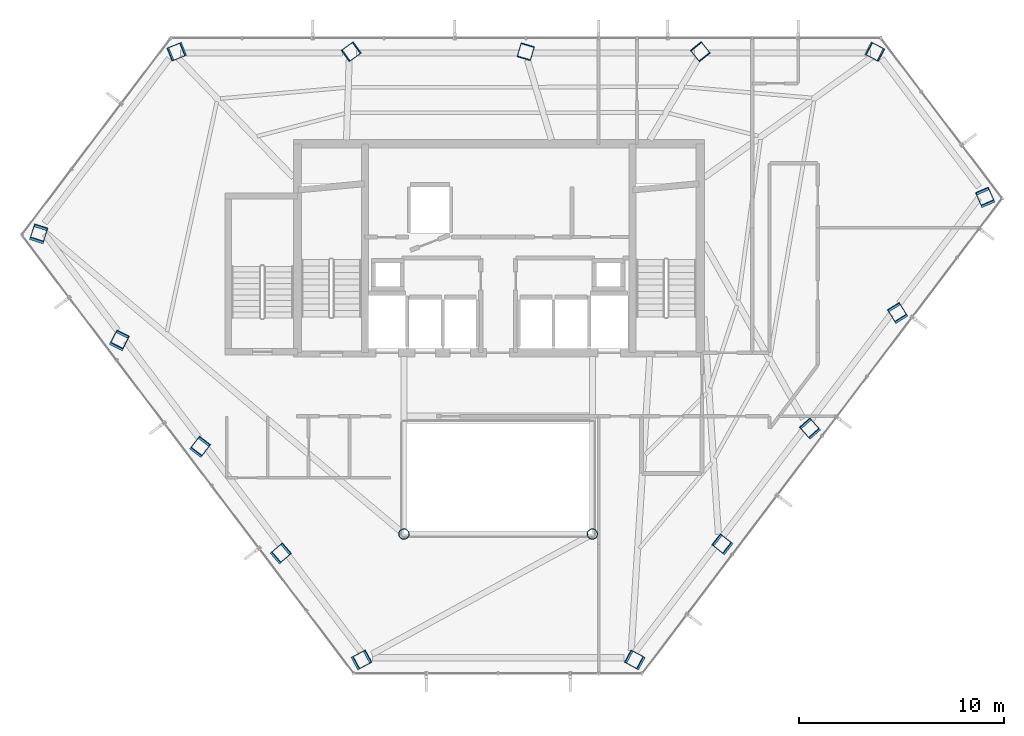
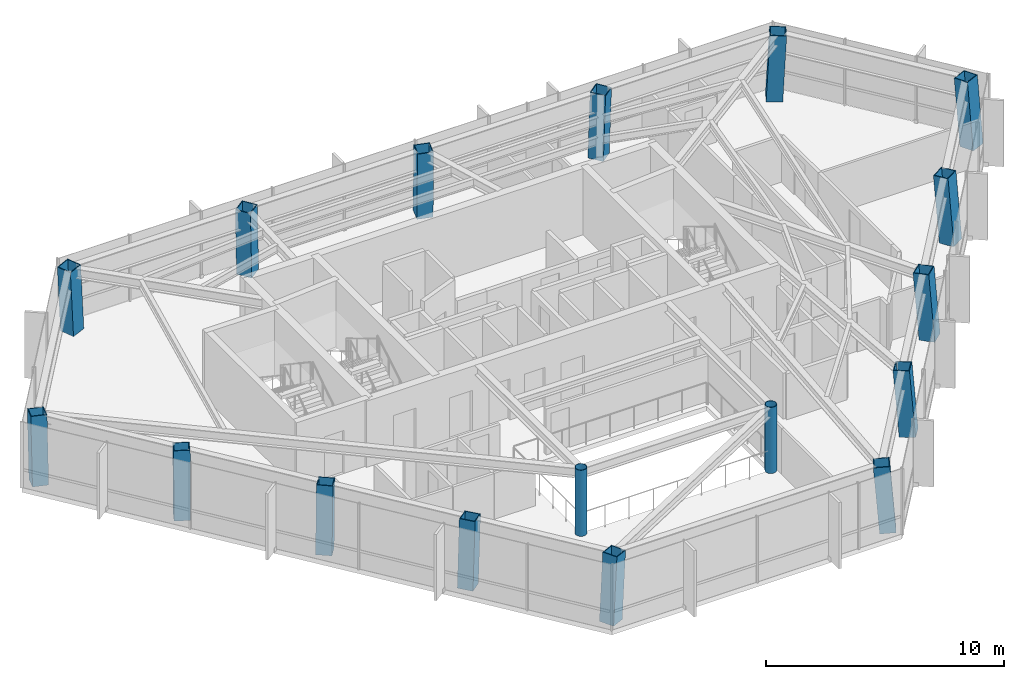
# One storey, part 1 of 28: 17 columns.
"""IFC4 building model written with IfcOpenShell, lengths in metres."""

from ifc_helpers import new_model, si_unit, direction, frame, origin, origin_2d, place, context, subcontext, project, spatial, hollow_rectangle, hollow_circle, extrude, material, material_profile, profile_set, type_object, element, save


model = new_model("IFC4")

# Units and contexts
model_context = context("Model", 3, precision=1e-05, world=origin(), true_north=direction((0.0, 1.0)))
body_context = subcontext(model_context, "Body", "Model", "MODEL_VIEW")
ifc_project = project(units=[si_unit("LENGTHUNIT", "METRE"), si_unit("AREAUNIT", "SQUARE_METRE"), si_unit("VOLUMEUNIT", "CUBIC_METRE"), si_unit("PLANEANGLEUNIT", "RADIAN"), si_unit("MASSUNIT", "GRAM", prefix="KILO")], contexts=[model_context])

# Site, building, storey
site_placement = place(None, origin())
site = spatial("IfcSite", under=ifc_project, at=site_placement, CompositionType="ELEMENT")
building_placement = place(site_placement, origin())
building = spatial("IfcBuilding", under=site, at=building_placement, Name="Zarrinselat Tower", CompositionType="ELEMENT")
storey_placement = place(building_placement, frame((0.0, 0.0, 190.739990234375)))
storey = spatial("IfcBuildingStorey", under=building, at=storey_placement, Name="L47", CompositionType="ELEMENT", Elevation=190.739990234375)

# Columns
ifc_material_1 = material(Name="Steel S355J2", Category="steel")
ifc_material_profile_1 = material_profile(ifc_material_1, hollow_circle(Radius=0.25390625, WallThickness=0.02001953125, at=origin_2d()), Name="CHS 508x20")
ifc_profile_set_1 = profile_set([ifc_material_profile_1], Name="Steel S355J2")
column_type_1 = type_object("IfcColumnType", Name="COL-CHS508", PredefinedType="COLUMN", material=ifc_profile_set_1)
for number, where, z_axis, x_axis, name in (
    (1, (33.800048828125, 24.39990234375, 0.0), (0.0, 0.0, 1.0), (1.0, 0.0, 0.0), "L47 Atrium Corner Column 1"),
    (2, (43.0, 24.39990234375, 0.0), (0.0, 0.0, 1.0), (1.0, 0.0, 0.0), "L47 Atrium Corner Column 2"),
):
    element("IfcColumn", number, at=place(storey_placement, frame(where, z_axis=z_axis, x_axis=x_axis)), inside=storey, type_object=column_type_1, Name=name, PredefinedType="COLUMN", context=body_context, shape_type="SweptSolid", body=[
        extrude(hollow_circle(Radius=0.25390625, WallThickness=0.02001953125, at=origin_2d()), origin(), (0.0, 0.0, 1.0), 3.389892578125),
    ])
ifc_material_2 = material(Name="Steel S355J2", Category="steel")
ifc_material_profile_2 = material_profile(ifc_material_2, hollow_rectangle(XDim=0.699951171875, YDim=0.699951171875, WallThickness=0.034912109375, at=origin_2d()), Name="SHS 700x700x35")
ifc_profile_set_2 = profile_set([ifc_material_profile_2], Name="Steel S355J2")
column_type_2 = type_object("IfcColumnType", Name="COL-SHS700", PredefinedType="COLUMN", material=ifc_profile_set_2)
column_1_placement = place(storey_placement, frame((56.760009765625, 47.95556640625, 0.0), z_axis=(0.04351950699, -0.022874716071, 0.998790668697), x_axis=(0.465263955127, 0.885171990101, 0.0)))
element("IfcColumn", 3, at=column_1_placement, inside=storey, type_object=column_type_2, Name="L47 Framed-Tube Column T01", PredefinedType="COLUMN", context=body_context, shape_type="SweptSolid", body=[
    extrude(hollow_rectangle(XDim=0.699951171875, YDim=0.699951171875, WallThickness=0.034912109375, at=origin_2d()), origin(), (0.0, 0.0, 1.0), 3.39404296875),
])
column_2_placement = place(storey_placement, frame((48.256103515625, 47.95556640625, 0.0), z_axis=(0.018429198571, -0.0228925201, 0.999568055294), x_axis=(0.778953317427, 0.627081915916, 0.0)))
element("IfcColumn", 4, at=column_2_placement, inside=storey, type_object=column_type_2, Name="L47 Framed-Tube Column T02", PredefinedType="COLUMN", context=body_context, shape_type="SweptSolid", body=[
    extrude(hollow_rectangle(XDim=0.699951171875, YDim=0.699951171875, WallThickness=0.034912109375, at=origin_2d()), origin(), (0.0, 0.0, 1.0), 3.391357421875),
])
column_3_placement = place(storey_placement, frame((39.752197265625, 47.95556640625, 0.0), z_axis=(-0.006767965785, -0.02289588425, 0.999714945934), x_axis=(0.958980451693, -0.283472208991, 0.0)))
element("IfcColumn", 5, at=column_3_placement, inside=storey, type_object=column_type_2, Name="L47 Framed-Tube Column T03", PredefinedType="COLUMN", context=body_context, shape_type="SweptSolid", body=[
    extrude(hollow_rectangle(XDim=0.699951171875, YDim=0.699951171875, WallThickness=0.034912109375, at=origin_2d()), origin(), (0.0, 0.0, 1.0), 3.390869140625),
])
column_4_placement = place(storey_placement, frame((31.24853515625, 47.95556640625, 0.0), z_axis=(-0.0320241381, -0.02288466498, 0.999225073088), x_axis=(0.581411131378, -0.813609916551, 0.0)))
element("IfcColumn", 6, at=column_4_placement, inside=storey, type_object=column_type_2, Name="L47 Framed-Tube Column T04", PredefinedType="COLUMN", context=body_context, shape_type="SweptSolid", body=[
    extrude(hollow_rectangle(XDim=0.699951171875, YDim=0.699951171875, WallThickness=0.034912109375, at=origin_2d()), origin(), (0.0, 0.0, 1.0), 3.392578125),
])
column_5_placement = place(storey_placement, frame((22.74462890625, 47.95556640625, 0.0), z_axis=(-0.057147475337, -0.022858990135, 0.998104018944), x_axis=(0.371390676354, -0.928476690885, 0.0)))
element("IfcColumn", 7, at=column_5_placement, inside=storey, type_object=column_type_2, Name="L47 Framed-Tube Column T05", PredefinedType="COLUMN", context=body_context, shape_type="SweptSolid", body=[
    extrude(hollow_rectangle(XDim=0.699951171875, YDim=0.699951171875, WallThickness=0.034912109375, at=origin_2d()), origin(), (0.0, 0.0, 1.0), 3.396240234375),
])
column_6_placement = place(storey_placement, frame((15.96240234375, 39.0029296875, 0.0), z_axis=(0.028607113048, 0.090194857679, 0.995513194655), x_axis=(-0.953204011623, 0.302327822447, 0.0)))
element("IfcColumn", 8, at=column_6_placement, inside=storey, type_object=column_type_2, Name="L47 Framed-Tube Column T06", PredefinedType="COLUMN", context=body_context, shape_type="SweptSolid", body=[
    extrude(hollow_rectangle(XDim=0.699951171875, YDim=0.699951171875, WallThickness=0.034912109375, at=origin_2d()), origin(), (0.0, 0.0, 1.0), 3.4052734375),
])
column_7_placement = place(storey_placement, frame((19.89501953125, 33.81201171875, 0.0), z_axis=(0.038674520367, 0.076990278949, 0.996281475499), x_axis=(-0.893592841618, 0.448878417178, 0.0)))
element("IfcColumn", 9, at=column_7_placement, inside=storey, type_object=column_type_2, Name="L47 Framed-Tube Column T07", PredefinedType="COLUMN", context=body_context, shape_type="SweptSolid", body=[
    extrude(hollow_rectangle(XDim=0.699951171875, YDim=0.699951171875, WallThickness=0.034912109375, at=origin_2d()), origin(), (0.0, 0.0, 1.0), 3.402587890625),
])
column_8_placement = place(storey_placement, frame((23.827392578125, 28.62109375, 0.0), z_axis=(0.048743981097, 0.063747651273, 0.996774930094), x_axis=(-0.79438322417, 0.607416902265, 0.0)))
element("IfcColumn", 10, at=column_8_placement, inside=storey, type_object=column_type_2, Name="L47 Framed-Tube Column T08", PredefinedType="COLUMN", context=body_context, shape_type="SweptSolid", body=[
    extrude(hollow_rectangle(XDim=0.699951171875, YDim=0.699951171875, WallThickness=0.034912109375, at=origin_2d()), origin(), (0.0, 0.0, 1.0), 3.40087890625),
])
column_9_placement = place(storey_placement, frame((27.760009765625, 23.43017578125, 0.0), z_axis=(0.058807109695, 0.050477897577, 0.996992329813), x_axis=(-0.651325309001, 0.758798617457, 0.0)))
element("IfcColumn", 11, at=column_9_placement, inside=storey, type_object=column_type_2, Name="L47 Framed-Tube Column T09", PredefinedType="COLUMN", context=body_context, shape_type="SweptSolid", body=[
    extrude(hollow_rectangle(XDim=0.699951171875, YDim=0.699951171875, WallThickness=0.034912109375, at=origin_2d()), origin(), (0.0, 0.0, 1.0), 3.400146484375),
])
for number, where, z_axis, x_axis, name in (
    (12, (31.6923828125, 18.2392578125, 0.0), (0.068926976819, 0.037191847909, 0.996928201184), (-0.474864985459, 0.880058660309, 0.0), "L47 Framed-Tube Column T10"),
    (13, (45.107666015625, 18.2392578125, 0.0), (-0.068926976819, 0.037191847909, 0.996928201184), (-0.474864985459, -0.880058660309, 0.0), "L47 Framed-Tube Column T11"),
):
    element("IfcColumn", number, at=place(storey_placement, frame(where, z_axis=z_axis, x_axis=x_axis)), inside=storey, type_object=column_type_2, Name=name, PredefinedType="COLUMN", context=body_context, shape_type="SweptSolid", body=[
        extrude(hollow_rectangle(XDim=0.699951171875, YDim=0.699951171875, WallThickness=0.034912109375, at=origin_2d()), origin(), (0.0, 0.0, 1.0), 3.400390625),
    ])
column_10_placement = place(storey_placement, frame((49.378173828125, 23.87646484375, 0.0), z_axis=(-0.060531031613, 0.048180690644, 0.997002816075), x_axis=(-0.622768998319, -0.782405760928, 0.0)))
element("IfcColumn", 14, at=column_10_placement, inside=storey, type_object=column_type_2, Name="L47 Framed-Tube Column T12", PredefinedType="COLUMN", context=body_context, shape_type="SweptSolid", body=[
    extrude(hollow_rectangle(XDim=0.699951171875, YDim=0.699951171875, WallThickness=0.034912109375, at=origin_2d()), origin(), (0.0, 0.0, 1.0), 3.400146484375),
])
column_11_placement = place(storey_placement, frame((53.648681640625, 29.513671875, 0.0), z_axis=(-0.0521952381, 0.059231184914, 0.996878790954), x_axis=(-0.75026232765, -0.661140257214, 0.0)))
element("IfcColumn", 15, at=column_11_placement, inside=storey, type_object=column_type_2, Name="L47 Framed-Tube Column T13", PredefinedType="COLUMN", context=body_context, shape_type="SweptSolid", body=[
    extrude(hollow_rectangle(XDim=0.699951171875, YDim=0.699951171875, WallThickness=0.034912109375, at=origin_2d()), origin(), (0.0, 0.0, 1.0), 3.400390625),
])
column_12_placement = place(storey_placement, frame((57.919189453125, 35.15087890625, 0.0), z_axis=(-0.043781484286, 0.070265693633, 0.996567064443), x_axis=(-0.848728060466, -0.528829537165, 0.0)))
element("IfcColumn", 16, at=column_12_placement, inside=storey, type_object=column_type_2, Name="L47 Framed-Tube Column T14", PredefinedType="COLUMN", context=body_context, shape_type="SweptSolid", body=[
    extrude(hollow_rectangle(XDim=0.699951171875, YDim=0.699951171875, WallThickness=0.034912109375, at=origin_2d()), origin(), (0.0, 0.0, 1.0), 3.401611328125),
])
column_13_placement = place(storey_placement, frame((62.18994140625, 40.7880859375, 0.0), z_axis=(-0.035438037838, 0.081206191968, 0.996067116142), x_axis=(-0.916528585644, -0.399969188435, 0.0)))
element("IfcColumn", 17, at=column_13_placement, inside=storey, type_object=column_type_2, Name="L47 Framed-Tube Column T15", PredefinedType="COLUMN", context=body_context, shape_type="SweptSolid", body=[
    extrude(hollow_rectangle(XDim=0.699951171875, YDim=0.699951171875, WallThickness=0.034912109375, at=origin_2d()), origin(), (0.0, 0.0, 1.0), 3.4033203125),
])

save(model, "model.ifc")
